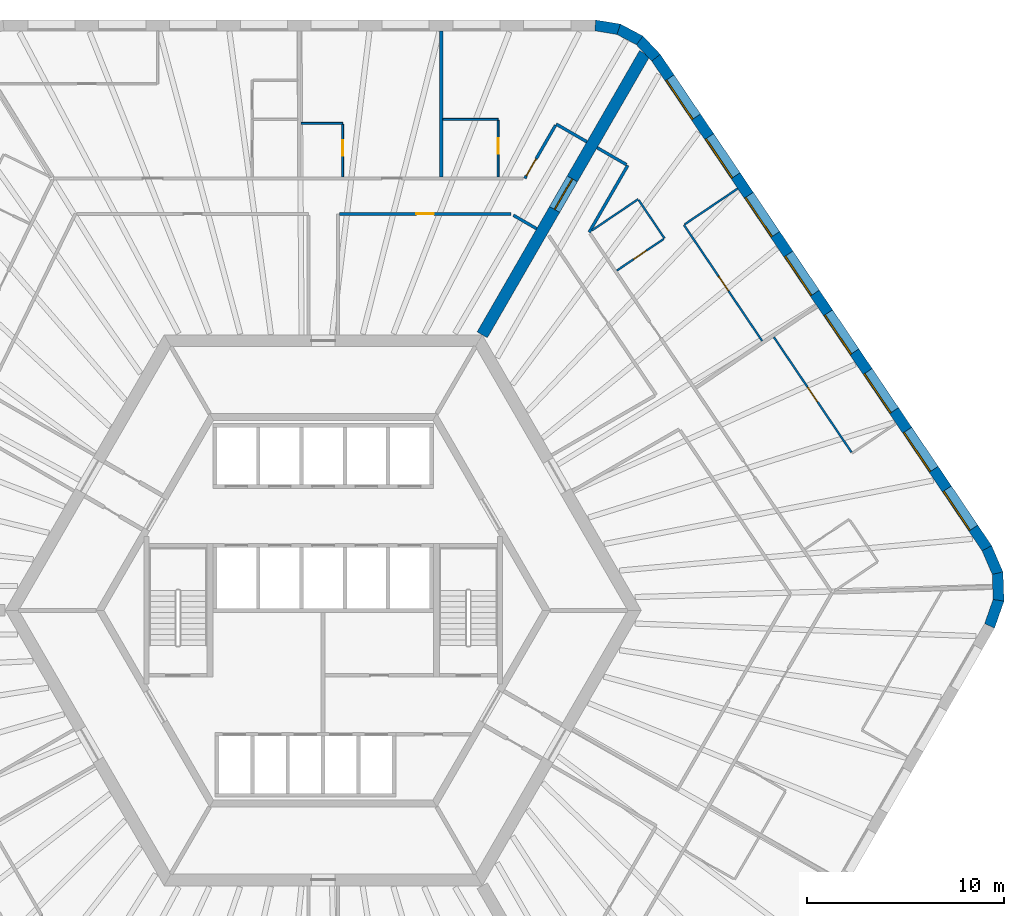
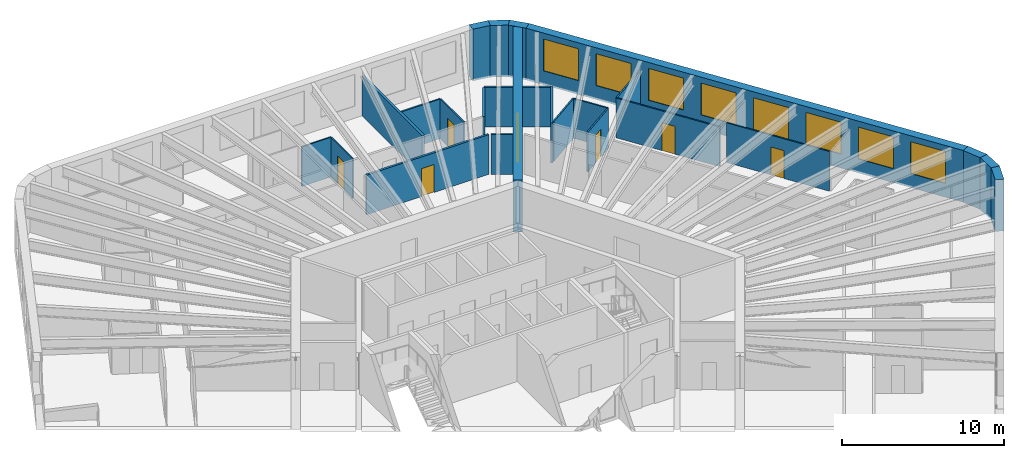
# One storey, part 10 of 12: 25 walls, 8 doors, 8 windows, 16 openings.
"""IFC4 building model written with IfcOpenShell, lengths in metres."""

from ifc_helpers import new_model, si_unit, direction, frame, frame_2d, origin, place, context, subcontext, project, spatial, polyline, rectangle, outline, extrude, material, layer, layer_set, type_object, element, fill, save


model = new_model("IFC4")

# Units and contexts
model_context = context("Model", 3, precision=1e-05, world=origin(), true_north=direction((0.0, 1.0)))
body_context = subcontext(model_context, "Body", "Model", "MODEL_VIEW")
ifc_project = project(units=[si_unit("LENGTHUNIT", "METRE"), si_unit("AREAUNIT", "SQUARE_METRE"), si_unit("VOLUMEUNIT", "CUBIC_METRE"), si_unit("PLANEANGLEUNIT", "RADIAN"), si_unit("MASSUNIT", "GRAM", prefix="KILO")], contexts=[model_context])

# Site, building, storey
site_placement = place(None, origin())
site = spatial("IfcSite", under=ifc_project, at=site_placement, CompositionType="ELEMENT")
building_placement = place(site_placement, origin())
building = spatial("IfcBuilding", under=site, at=building_placement, Name="Tarnside Tower", CompositionType="ELEMENT")
storey_placement = place(building_placement, frame((0.0, 0.0, 119.39990234375)))
storey = spatial("IfcBuildingStorey", under=building, at=storey_placement, Name="L27", CompositionType="ELEMENT", Elevation=119.39990234375)

# Wall
ifc_material_1 = material(Name="Gypsum board partition on steel studs", Category="steel")
ifc_layer_1 = layer(ifc_material_1, 0.10009765625)
ifc_layer_set_1 = layer_set([ifc_layer_1], Name="Bathroom wall 100")
wall_type_1 = type_object("IfcWallType", Name="Bathroom wall 100", PredefinedType="PARTITIONING", material=ifc_layer_set_1)
wall_1_placement = place(storey_placement, frame((6.078857421875, 24.949951171875, 0.0), z_axis=(0.0, 0.0, 1.0), x_axis=(1.0, 0.0, 0.0)))
element("IfcWall", 1, at=wall_1_placement, inside=storey, type_object=wall_type_1, Name="Bathroom wall 08071", PredefinedType="PARTITIONING", context=body_context, shape_type="SweptSolid", body=[
    extrude(rectangle(XDim=2.81005859375, YDim=0.10009765625, at=frame_2d((1.405029296875, 0.0))), origin(), (0.0, 0.0, 1.0), 2.98779296875),
])

# Wall, opening, door
wall_2_placement = place(storey_placement, frame((8.888916015625, 24.89990234375, 0.0), z_axis=(0.0, 0.0, 1.0), x_axis=(0.0, -1.0, 0.0)))
wall_2 = element("IfcWall", 2, at=wall_2_placement, inside=storey, type_object=wall_type_1, Name="Bathroom wall 08072", PredefinedType="PARTITIONING", context=body_context, shape_type="SweptSolid", body=[
    extrude(rectangle(XDim=2.875, YDim=0.10009765625, at=frame_2d((1.4375, 0.0))), origin(), (0.0, 0.0, 1.0), 2.98779296875),
])
opening_1_placement = place(wall_2_placement, frame((0.89990234375, 0.0, 0.0)))
opening_1 = element("IfcOpeningElement", 3, at=opening_1_placement, cuts=wall_2, Name="Opening D-B1", PredefinedType="OPENING", context=body_context, shape_type="SweptSolid", body=[
    extrude(rectangle(XDim=0.800048828125, YDim=2.10009765625, at=frame_2d((0.39990234375, 1.050048828125))), frame((0.0, 0.06005859375, 0.0), z_axis=(0.0, -1.0, 0.0), x_axis=(1.0, 0.0, 0.0)), (0.0, 0.0, 1.0), 0.1201171875),
])
ifc_material_2 = material(Name="Timber door leaf", Category="wood")
door_type_1 = type_object("IfcDoorType", Name="Bathroom door 800", OperationType="NOTDEFINED", PredefinedType="DOOR", material=ifc_material_2)
door_1_placement = place(opening_1_placement, origin())
door_1 = element("IfcDoor", 4, at=door_1_placement, inside=storey, type_object=door_type_1, Name="Bathroom door 08002", OperationType="SINGLE_SWING_RIGHT", OverallHeight=2.10009765625, OverallWidth=0.800048828125, PredefinedType="DOOR", context=body_context, shape_type="SweptSolid", body=[
    extrude(rectangle(XDim=0.800048828125, YDim=2.10009765625, at=frame_2d((0.39990234375, 1.050048828125))), frame((0.0, 0.02490234375, 0.0), z_axis=(0.0, -1.0, 0.0), x_axis=(1.0, 0.0, 0.0)), (0.0, 0.0, 1.0), 0.050048828125),
])
fill(opening_1, door_1)

# Wall
wall_3_placement = place(storey_placement, frame((-1.12109375, 24.75, 0.0), z_axis=(0.0, 0.0, 1.0), x_axis=(1.0, 0.0, 0.0)))
element("IfcWall", 5, at=wall_3_placement, inside=storey, type_object=wall_type_1, Name="Bathroom wall 08075", PredefinedType="PARTITIONING", context=body_context, shape_type="SweptSolid", body=[
    extrude(rectangle(XDim=2.110107421875, YDim=0.10009765625, at=frame_2d((1.05517578125, 0.0))), origin(), (0.0, 0.0, 1.0), 2.98779296875),
])

# Wall, opening, door
wall_4_placement = place(storey_placement, frame((0.989013671875, 24.699951171875, 0.0), z_axis=(0.0, 0.0, 1.0), x_axis=(0.0, -1.0, 0.0)))
wall_4 = element("IfcWall", 6, at=wall_4_placement, inside=storey, type_object=wall_type_1, Name="Bathroom wall 08076", PredefinedType="PARTITIONING", context=body_context, shape_type="SweptSolid", body=[
    extrude(rectangle(XDim=2.675048828125, YDim=0.10009765625, at=frame_2d((1.33740234375, 0.0))), origin(), (0.0, 0.0, 1.0), 2.98779296875),
])
opening_2_placement = place(wall_4_placement, frame((0.81005859375, 0.0, 0.0)))
opening_2 = element("IfcOpeningElement", 7, at=opening_2_placement, cuts=wall_4, Name="Opening D-B1", PredefinedType="OPENING", context=body_context, shape_type="SweptSolid", body=[
    extrude(rectangle(XDim=0.800048828125, YDim=2.10009765625, at=frame_2d((0.39990234375, 1.050048828125))), frame((0.0, 0.06005859375, 0.0), z_axis=(0.0, -1.0, 0.0), x_axis=(1.0, 0.0, 0.0)), (0.0, 0.0, 1.0), 0.1201171875),
])
door_2_placement = place(opening_2_placement, origin())
door_2 = element("IfcDoor", 8, at=door_2_placement, inside=storey, type_object=door_type_1, Name="Bathroom door 08004", OperationType="SINGLE_SWING_RIGHT", OverallHeight=2.10009765625, OverallWidth=0.800048828125, PredefinedType="DOOR", context=body_context, shape_type="SweptSolid", body=[
    extrude(rectangle(XDim=0.800048828125, YDim=2.10009765625, at=frame_2d((0.39990234375, 1.050048828125))), frame((0.0, 0.02490234375, 0.0), z_axis=(0.0, -1.0, 0.0), x_axis=(1.0, 0.0, 0.0)), (0.0, 0.0, 1.0), 0.050048828125),
])
fill(opening_2, door_2)

# Walls
wall_5_placement = place(storey_placement, frame((13.6591796875, 19.308349609375, 0.0), z_axis=(0.0, 0.0, 1.0), x_axis=(0.829010718334, 0.559232714429, 0.0)))
element("IfcWall", 9, at=wall_5_placement, inside=storey, type_object=wall_type_1, Name="Bathroom wall 08145", PredefinedType="PARTITIONING", context=body_context, shape_type="SweptSolid", body=[
    extrude(rectangle(XDim=2.828857421875, YDim=0.10009765625, at=frame_2d((1.41455078125, 0.0))), origin(), (0.0, 0.0, 1.0), 2.98779296875),
])
wall_6_placement = place(storey_placement, frame((16.032470703125, 20.848876953125, 0.0), z_axis=(0.0, 0.0, 1.0), x_axis=(0.559151632687, -0.829065408555, 0.0)))
element("IfcWall", 10, at=wall_6_placement, inside=storey, type_object=wall_type_1, Name="Bathroom wall 08146", PredefinedType="PARTITIONING", context=body_context, shape_type="SweptSolid", body=[
    extrude(rectangle(XDim=2.349853515625, YDim=0.10009765625, at=frame_2d((1.1748046875, 0.0))), origin(), (0.0, 0.0, 1.0), 2.98779296875),
])

# Wall, opening, door
wall_7_placement = place(storey_placement, frame((17.30517578125, 18.87255859375, 0.0), z_axis=(0.0, 0.0, 1.0), x_axis=(-0.82904649496, -0.559179675234, 0.0)))
wall_7 = element("IfcWall", 11, at=wall_7_placement, inside=storey, type_object=wall_type_1, Name="Bathroom wall 08147", PredefinedType="PARTITIONING", context=body_context, shape_type="SweptSolid", body=[
    extrude(rectangle(XDim=2.875, YDim=0.10009765625, at=frame_2d((1.4375, 0.0))), origin(), (0.0, 0.0, 1.0), 2.98779296875),
])
opening_3_placement = place(wall_7_placement, frame((1.050048828125, 0.0, 0.0)))
opening_3 = element("IfcOpeningElement", 12, at=opening_3_placement, cuts=wall_7, Name="Opening D-B1", PredefinedType="OPENING", context=body_context, shape_type="SweptSolid", body=[
    extrude(rectangle(XDim=0.800048828125, YDim=2.10009765625, at=frame_2d((0.39990234375, 1.050048828125))), frame((0.0, 0.06005859375, 0.0), z_axis=(0.0, -1.0, 0.0), x_axis=(1.0, 0.0, 0.0)), (0.0, 0.0, 1.0), 0.1201171875),
])
door_3_placement = place(opening_3_placement, origin())
door_3 = element("IfcDoor", 13, at=door_3_placement, inside=storey, type_object=door_type_1, Name="Bathroom door 08038", OperationType="SINGLE_SWING_LEFT", OverallHeight=2.10009765625, OverallWidth=0.800048828125, PredefinedType="DOOR", context=body_context, shape_type="SweptSolid", body=[
    extrude(rectangle(XDim=0.800048828125, YDim=2.10009765625, at=frame_2d((0.39990234375, 1.050048828125))), frame((0.0, 0.02490234375, 0.0), z_axis=(0.0, -1.0, 0.0), x_axis=(1.0, 0.0, 0.0)), (0.0, 0.0, 1.0), 0.050048828125),
])
fill(opening_3, door_3)

ifc_material_3 = material(Name="Concrete C80/95", Category="concrete")
ifc_layer_2 = layer(ifc_material_3, 0.60009765625)
ifc_layer_set_2 = layer_set([ifc_layer_2], Name="Core wall Z1 600 C80/95")
wall_type_2 = type_object("IfcWallType", Name="Core wall Z1 600 C80/95", PredefinedType="SHEAR", material=ifc_layer_set_2)
wall_8_placement = place(storey_placement, frame((8.0830078125, 14.0, -0.14990234375), z_axis=(0.0, 0.0, 1.0), x_axis=(0.499997680643, 0.866026742862, 0.0)))
wall_8 = element("IfcWall", 14, at=wall_8_placement, inside=storey, type_object=wall_type_2, Name="L27 spine wall 1", PredefinedType="SHEAR", context=body_context, shape_type="SweptSolid", body=[
    extrude(rectangle(XDim=16.5087890625, YDim=0.60009765625, at=frame_2d((8.25439453125, 0.0))), origin(), (0.0, 0.0, 1.0), 3.89990234375),
])
opening_4_placement = place(wall_8_placement, frame((7.3544921875, 0.0, 0.14990234375)))
opening_4 = element("IfcOpeningElement", 15, at=opening_4_placement, cuts=wall_8, Name="Opening CD-SPN", PredefinedType="OPENING", context=body_context, shape_type="SweptSolid", body=[
    extrude(rectangle(XDim=1.800048828125, YDim=2.39990234375, at=frame_2d((0.89990234375, 1.199951171875))), frame((0.0, 0.31005859375, 0.0), z_axis=(0.0, -1.0, 0.0), x_axis=(1.0, 0.0, 0.0)), (0.0, 0.0, 1.0), 0.6201171875),
])
ifc_material_4 = material(Name="Steel fire door", Category="steel")
door_type_2 = type_object("IfcDoorType", Name="Spine passage double door FD60 1800x2400", OperationType="NOTDEFINED", PredefinedType="DOOR", material=ifc_material_4)
door_4_placement = place(opening_4_placement, origin())
door_4 = element("IfcDoor", 16, at=door_4_placement, inside=storey, type_object=door_type_2, Name="L27 spine passage door 1", OperationType="DOUBLE_DOOR_SINGLE_SWING", OverallHeight=2.39990234375, OverallWidth=1.800048828125, PredefinedType="DOOR", context=body_context, shape_type="SweptSolid", body=[
    extrude(rectangle(XDim=1.800048828125, YDim=2.39990234375, at=frame_2d((0.89990234375, 1.199951171875))), frame((0.0, 0.02490234375, 0.0), z_axis=(0.0, -1.0, 0.0), x_axis=(1.0, 0.0, 0.0)), (0.0, 0.0, 1.0), 0.050048828125),
])
fill(opening_4, door_4)

# Wall
ifc_layer_3 = layer(ifc_material_1, 0.14990234375)
ifc_layer_set_3 = layer_set([ifc_layer_3], Name="Corridor wall 150 EI 60")
wall_type_3 = type_object("IfcWallType", Name="Corridor wall 150 EI 60", PredefinedType="PARTITIONING", material=ifc_layer_set_3)
wall_9_placement = place(storey_placement, frame((13.400390625, 23.81005859375, 0.0), z_axis=(0.0, 0.0, 1.0), x_axis=(-0.865989075817, 0.500062916607, 0.0)))
element("IfcWall", 17, at=wall_9_placement, inside=storey, type_object=wall_type_3, Name="Corridor wall 08001", PredefinedType="PARTITIONING", context=body_context, shape_type="SweptSolid", body=[
    extrude(rectangle(XDim=1.800048828125, YDim=0.14990234375, at=frame_2d((0.89990234375, 0.0))), origin(), (0.0, 0.0, 1.0), 2.98779296875),
])

# Wall, opening, door
wall_10_placement = place(storey_placement, frame((11.803955078125, 24.64501953125, 0.0), z_axis=(0.0, 0.0, 1.0), x_axis=(-0.499978251519, -0.866037959912, 0.0)))
wall_10 = element("IfcWall", 18, at=wall_10_placement, inside=storey, type_object=wall_type_3, Name="Corridor wall 08002", PredefinedType="PARTITIONING", context=body_context, shape_type="SweptSolid", body=[
    extrude(rectangle(XDim=3.112060546875, YDim=0.14990234375, at=frame_2d((1.55615234375, 0.0))), origin(), (0.0, 0.0, 1.0), 2.98779296875),
])
opening_5_placement = place(wall_10_placement, frame((1.962158203125, 0.0, 0.0)))
opening_5 = element("IfcOpeningElement", 19, at=opening_5_placement, cuts=wall_10, Name="Opening D-E1", PredefinedType="OPENING", context=body_context, shape_type="SweptSolid", body=[
    extrude(rectangle(XDim=1.0, YDim=2.10009765625, at=frame_2d((0.5, 1.050048828125))), frame((0.0, 0.0849609375, 0.0), z_axis=(0.0, -1.0, 0.0), x_axis=(1.0, 0.0, 0.0)), (0.0, 0.0, 1.0), 0.169921875),
])
door_type_3 = type_object("IfcDoorType", Name="Unit entrance door 1000 FD30S", OperationType="NOTDEFINED", PredefinedType="DOOR", material=ifc_material_2)
door_5_placement = place(opening_5_placement, origin())
door_5 = element("IfcDoor", 20, at=door_5_placement, inside=storey, type_object=door_type_3, Name="Unit door 08001", OperationType="SINGLE_SWING_LEFT", OverallHeight=2.10009765625, OverallWidth=1.0, PredefinedType="DOOR", context=body_context, shape_type="SweptSolid", body=[
    extrude(rectangle(XDim=1.0, YDim=2.10009765625, at=frame_2d((0.5, 1.050048828125))), frame((0.0, 0.02490234375, 0.0), z_axis=(0.0, -1.0, 0.0), x_axis=(1.0, 0.0, 0.0)), (0.0, 0.0, 1.0), 0.050048828125),
])
fill(opening_5, door_5)

wall_11_placement = place(storey_placement, frame((0.824951171875, 20.14990234375, 0.0), z_axis=(0.0, 0.0, 1.0), x_axis=(1.0, 0.0, 0.0)))
wall_11 = element("IfcWall", 21, at=wall_11_placement, inside=storey, type_object=wall_type_3, Name="Corridor wall 08021", PredefinedType="PARTITIONING", context=body_context, shape_type="SweptSolid", body=[
    extrude(rectangle(XDim=8.712158203125, YDim=0.14990234375, at=frame_2d((4.35595703125, 0.0))), origin(), (0.0, 0.0, 1.0), 2.98779296875),
])
opening_6_placement = place(wall_11_placement, frame((3.906005859375, 0.0, 0.0)))
opening_6 = element("IfcOpeningElement", 22, at=opening_6_placement, cuts=wall_11, Name="Opening D-S1", PredefinedType="OPENING", context=body_context, shape_type="SweptSolid", body=[
    extrude(rectangle(XDim=0.89990234375, YDim=2.10009765625, at=frame_2d((0.449951171875, 1.050048828125))), frame((0.0, 0.0849609375, 0.0), z_axis=(0.0, -1.0, 0.0), x_axis=(1.0, 0.0, 0.0)), (0.0, 0.0, 1.0), 0.169921875),
])
door_type_4 = type_object("IfcDoorType", Name="Service room door 900 FD30S", OperationType="NOTDEFINED", PredefinedType="DOOR", material=ifc_material_2)
door_6_placement = place(opening_6_placement, origin())
door_6 = element("IfcDoor", 23, at=door_6_placement, inside=storey, type_object=door_type_4, Name="Service door 08041", OperationType="SINGLE_SWING_RIGHT", OverallHeight=2.10009765625, OverallWidth=0.89990234375, PredefinedType="DOOR", context=body_context, shape_type="SweptSolid", body=[
    extrude(rectangle(XDim=0.89990234375, YDim=2.10009765625, at=frame_2d((0.449951171875, 1.050048828125))), frame((0.0, 0.02490234375, 0.0), z_axis=(0.0, -1.0, 0.0), x_axis=(1.0, 0.0, 0.0)), (0.0, 0.0, 1.0), 0.050048828125),
])
fill(opening_6, door_6)

# Walls
wall_12_placement = place(storey_placement, frame((9.6669921875, 20.074951171875, 0.0), z_axis=(0.0, 0.0, 1.0), x_axis=(0.866000994684, -0.500042275419, 0.0)))
element("IfcWall", 24, at=wall_12_placement, inside=storey, type_object=wall_type_3, Name="Corridor wall 08022", PredefinedType="PARTITIONING", context=body_context, shape_type="SweptSolid", body=[
    extrude(rectangle(XDim=1.36572265625, YDim=0.14990234375, at=frame_2d((0.682861328125, 0.0))), origin(), (0.0, 0.0, 1.0), 2.98779296875),
])
wall_13_placement = place(storey_placement, frame((13.517333984375, 19.212646484375, 0.0), z_axis=(0.0, 0.0, 1.0), x_axis=(0.499981033738, 0.866036353684, 0.0)))
element("IfcWall", 25, at=wall_13_placement, inside=storey, type_object=wall_type_3, Name="Corridor wall 08058", PredefinedType="PARTITIONING", context=body_context, shape_type="SweptSolid", body=[
    extrude(rectangle(XDim=3.923095703125, YDim=0.14990234375, at=frame_2d((1.96142578125, 0.0))), origin(), (0.0, 0.0, 1.0), 2.98779296875),
])
wall_14_placement = place(storey_placement, frame((15.413818359375, 22.647705078125, 0.0), z_axis=(0.0, 0.0, 1.0), x_axis=(-0.866074815912, 0.499914405916, 0.0)))
element("IfcWall", 26, at=wall_14_placement, inside=storey, type_object=wall_type_3, Name="Corridor wall 08059", PredefinedType="PARTITIONING", context=body_context, shape_type="SweptSolid", body=[
    extrude(rectangle(XDim=1.724853515625, YDim=0.14990234375, at=frame_2d((0.8623046875, 0.0))), origin(), (0.0, 0.0, 1.0), 2.98779296875),
])
ifc_layer_4 = layer(ifc_material_1, 0.179931640625)
ifc_layer_set_4 = layer_set([ifc_layer_4], Name="Demising wall 180 EI 60")
wall_type_4 = type_object("IfcWallType", Name="Demising wall 180 EI 60", PredefinedType="PARTITIONING", material=ifc_layer_set_4)
wall_15_placement = place(storey_placement, frame((5.989013671875, 29.449951171875, 0.0), z_axis=(0.0, 0.0, 1.0), x_axis=(0.0, -1.0, 0.0)))
element("IfcWall", 27, at=wall_15_placement, inside=storey, type_object=wall_type_4, Name="Demising wall 08073", PredefinedType="PARTITIONING", context=body_context, shape_type="SweptSolid", body=[
    extrude(rectangle(XDim=7.425048828125, YDim=0.179931640625, at=frame_2d((3.71240234375, 0.0))), origin(), (0.0, 0.0, 1.0), 2.98779296875),
])

# Wall, opening, door
ifc_layer_5 = layer(ifc_material_1, 0.10009765625)
ifc_layer_set_5 = layer_set([ifc_layer_5], Name="Partition 100")
wall_type_5 = type_object("IfcWallType", Name="Partition 100", PredefinedType="PARTITIONING", material=ifc_layer_set_5)
wall_16_placement = place(storey_placement, frame((26.852294921875, 8.02685546875, 0.0), z_axis=(0.0, 0.0, 1.0), x_axis=(-0.559216845309, 0.829021423078, 0.0)))
wall_16 = element("IfcWall", 28, at=wall_16_placement, inside=storey, type_object=wall_type_5, Name="Partition wall 08141", PredefinedType="PARTITIONING", context=body_context, shape_type="SweptSolid", body=[
    extrude(rectangle(XDim=7.059814453125, YDim=0.10009765625, at=frame_2d((3.52978515625, 0.0))), origin(), (0.0, 0.0, 1.0), 2.98779296875),
])
opening_7_placement = place(wall_16_placement, frame((3.10009765625, 0.0, 0.0)))
opening_7 = element("IfcOpeningElement", 29, at=opening_7_placement, cuts=wall_16, Name="Opening D-I1", PredefinedType="OPENING", context=body_context, shape_type="SweptSolid", body=[
    extrude(rectangle(XDim=0.89990234375, YDim=2.10009765625, at=frame_2d((0.449951171875, 1.050048828125))), frame((0.0, 0.06005859375, 0.0), z_axis=(0.0, -1.0, 0.0), x_axis=(1.0, 0.0, 0.0)), (0.0, 0.0, 1.0), 0.1201171875),
])
door_type_5 = type_object("IfcDoorType", Name="Internal door 900", OperationType="NOTDEFINED", PredefinedType="DOOR", material=ifc_material_2)
door_7_placement = place(opening_7_placement, origin())
door_7 = element("IfcDoor", 30, at=door_7_placement, inside=storey, type_object=door_type_5, Name="Internal door 08036", OperationType="SINGLE_SWING_RIGHT", OverallHeight=2.10009765625, OverallWidth=0.89990234375, PredefinedType="DOOR", context=body_context, shape_type="SweptSolid", body=[
    extrude(rectangle(XDim=0.89990234375, YDim=2.10009765625, at=frame_2d((0.449951171875, 1.050048828125))), frame((0.0, 0.02490234375, 0.0), z_axis=(0.0, -1.0, 0.0), x_axis=(1.0, 0.0, 0.0)), (0.0, 0.0, 1.0), 0.050048828125),
])
fill(opening_7, door_7)

wall_17_placement = place(storey_placement, frame((22.30615234375, 13.693359375, 0.0), z_axis=(0.0, 0.0, 1.0), x_axis=(-0.559185029686, 0.829042883435, 0.0)))
wall_17 = element("IfcWall", 31, at=wall_17_placement, inside=storey, type_object=wall_type_5, Name="Partition wall 08148", PredefinedType="PARTITIONING", context=body_context, shape_type="SweptSolid", body=[
    extrude(rectangle(XDim=7.110107421875, YDim=0.10009765625, at=frame_2d((3.55517578125, 0.0))), origin(), (0.0, 0.0, 1.0), 2.98779296875),
])
opening_8_placement = place(wall_17_placement, frame((3.06005859375, 0.0, 0.0)))
opening_8 = element("IfcOpeningElement", 32, at=opening_8_placement, cuts=wall_17, Name="Opening D-I1", PredefinedType="OPENING", context=body_context, shape_type="SweptSolid", body=[
    extrude(rectangle(XDim=0.89990234375, YDim=2.10009765625, at=frame_2d((0.449951171875, 1.050048828125))), frame((0.0, 0.06005859375, 0.0), z_axis=(0.0, -1.0, 0.0), x_axis=(1.0, 0.0, 0.0)), (0.0, 0.0, 1.0), 0.1201171875),
])
door_8_placement = place(opening_8_placement, origin())
door_8 = element("IfcDoor", 33, at=door_8_placement, inside=storey, type_object=door_type_5, Name="Internal door 08039", OperationType="SINGLE_SWING_RIGHT", OverallHeight=2.10009765625, OverallWidth=0.89990234375, PredefinedType="DOOR", context=body_context, shape_type="SweptSolid", body=[
    extrude(rectangle(XDim=0.89990234375, YDim=2.10009765625, at=frame_2d((0.449951171875, 1.050048828125))), frame((0.0, 0.02490234375, 0.0), z_axis=(0.0, -1.0, 0.0), x_axis=(1.0, 0.0, 0.0)), (0.0, 0.0, 1.0), 0.050048828125),
])
fill(opening_8, door_8)

# Walls
wall_18_placement = place(storey_placement, frame((18.371826171875, 19.615966796875, 0.0), z_axis=(0.0, 0.0, 1.0), x_axis=(0.829033253898, 0.55919930609, 0.0)))
element("IfcWall", 34, at=wall_18_placement, inside=storey, type_object=wall_type_5, Name="Partition wall 08149", PredefinedType="PARTITIONING", context=body_context, shape_type="SweptSolid", body=[
    extrude(rectangle(XDim=3.25, YDim=0.10009765625, at=frame_2d((1.625, 0.0))), origin(), (0.0, 0.0, 1.0), 2.98779296875),
])
ifc_material_5 = material(Name="Facing brick", Category="masonry")
ifc_layer_6 = layer(ifc_material_5, 0.10205078125)
ifc_material_6 = material(Name="Concrete C60/75 precast", Category="concrete")
ifc_layer_7 = layer(ifc_material_6, 0.347900390625)
ifc_material_7 = material(Name="Mineral wool insulation")
ifc_layer_8 = layer(ifc_material_7, 0.10009765625)
ifc_layer_set_6 = layer_set([ifc_layer_6, ifc_layer_7, ifc_layer_8], Name="Tube wall 550 brick faced")
wall_type_6 = type_object("IfcWallType", Name="Tube wall 550 brick faced", PredefinedType="SOLIDWALL", material=ifc_layer_set_6)
wall_19_placement = place(storey_placement, frame((33.865966796875, -0.79248046875, -0.14990234375), z_axis=(0.0, 0.0, 1.0), x_axis=(0.33111537203, 0.943590276765, 0.0)))
element("IfcWall", 35, at=wall_19_placement, inside=storey, type_object=wall_type_6, Name="Tube wall L27 F5 chord 17", PredefinedType="SOLIDWALL", context=body_context, shape_type="SweptSolid", body=[
    extrude(outline(polyline([(-0.025634765625, -0.27490234375), (1.4306640625, -0.27490234375), (1.3271484375, 0.27490234375), (0.025634765625, 0.27490234375), (-0.025634765625, -0.27490234375)])), origin(), (0.0, 0.0, 1.0), 3.89990234375),
])
wall_20_placement = place(storey_placement, frame((34.322509765625, 0.508544921875, -0.14990234375), z_axis=(0.0, 0.0, 1.0), x_axis=(-0.034876908462, 0.999391615562, 0.0)))
element("IfcWall", 36, at=wall_20_placement, inside=storey, type_object=wall_type_6, Name="Tube wall L27 F5 chord 18", PredefinedType="SOLIDWALL", context=body_context, shape_type="SweptSolid", body=[
    extrude(outline(polyline([(-0.0517578125, -0.27490234375), (1.4306640625, -0.27490234375), (1.3271484375, 0.27490234375), (0.0517578125, 0.27490234375), (-0.0517578125, -0.27490234375)])), origin(), (0.0, 0.0, 1.0), 3.89990234375),
])
wall_21_placement = place(storey_placement, frame((34.2744140625, 1.88671875, -0.14990234375), z_axis=(0.0, 0.0, 1.0), x_axis=(-0.396161342798, 0.918180913803, 0.0)))
element("IfcWall", 37, at=wall_21_placement, inside=storey, type_object=wall_type_6, Name="Tube wall L27 F5 chord 19", PredefinedType="SOLIDWALL", context=body_context, shape_type="SweptSolid", body=[
    extrude(outline(polyline([(-0.0517578125, -0.27490234375), (1.40478515625, -0.27490234375), (1.353515625, 0.27490234375), (0.0517578125, 0.27490234375), (-0.0517578125, -0.27490234375)])), origin(), (0.0, 0.0, 1.0), 3.89990234375),
])

# Wall, openings, windows
wall_22_placement = place(storey_placement, frame((33.72802734375, 3.153076171875, -0.14990234375), z_axis=(0.0, 0.0, 1.0), x_axis=(-0.559192411416, 0.82903790445, 0.0)))
wall_22 = element("IfcWall", 38, at=wall_22_placement, inside=storey, type_object=wall_type_6, Name="Tube wall L27 F6 flush 20", PredefinedType="SOLIDWALL", context=body_context, shape_type="SweptSolid", body=[
    extrude(outline(polyline([(-0.025634765625, -0.27490234375), (30.09326171875, -0.27490234375), (30.04833984375, 0.27490234375), (0.025634765625, 0.27490234375), (-0.025634765625, -0.27490234375)])), origin(), (0.0, 0.0, 1.0), 3.89990234375),
])
opening_9_placement = place(wall_22_placement, frame((1.235595703125, 0.0, 1.050048828125)))
opening_9 = element("IfcOpeningElement", 39, at=opening_9_placement, cuts=wall_22, Name="Opening WH", PredefinedType="OPENING", context=body_context, shape_type="SweptSolid", body=[
    extrude(rectangle(XDim=2.39990234375, YDim=2.39990234375, at=frame_2d((1.199951171875, 1.199951171875))), frame((0.0, 0.28515625, 0.0), z_axis=(0.0, -1.0, 0.0), x_axis=(1.0, 0.0, 0.0)), (0.0, 0.0, 1.0), 0.570068359375),
])
opening_10_placement = place(wall_22_placement, frame((4.83544921875, 0.0, 1.050048828125)))
opening_10 = element("IfcOpeningElement", 40, at=opening_10_placement, cuts=wall_22, Name="Opening WH", PredefinedType="OPENING", context=body_context, shape_type="SweptSolid", body=[
    extrude(rectangle(XDim=2.39990234375, YDim=2.39990234375, at=frame_2d((1.199951171875, 1.199951171875))), frame((0.0, 0.28515625, 0.0), z_axis=(0.0, -1.0, 0.0), x_axis=(1.0, 0.0, 0.0)), (0.0, 0.0, 1.0), 0.570068359375),
])
opening_11_placement = place(wall_22_placement, frame((8.435546875, 0.0, 1.050048828125)))
opening_11 = element("IfcOpeningElement", 41, at=opening_11_placement, cuts=wall_22, Name="Opening WH", PredefinedType="OPENING", context=body_context, shape_type="SweptSolid", body=[
    extrude(rectangle(XDim=2.39990234375, YDim=2.39990234375, at=frame_2d((1.199951171875, 1.199951171875))), frame((0.0, 0.28515625, 0.0), z_axis=(0.0, -1.0, 0.0), x_axis=(1.0, 0.0, 0.0)), (0.0, 0.0, 1.0), 0.570068359375),
])
opening_12_placement = place(wall_22_placement, frame((12.035400390625, 0.0, 1.050048828125)))
opening_12 = element("IfcOpeningElement", 42, at=opening_12_placement, cuts=wall_22, Name="Opening WH", PredefinedType="OPENING", context=body_context, shape_type="SweptSolid", body=[
    extrude(rectangle(XDim=2.39990234375, YDim=2.39990234375, at=frame_2d((1.199951171875, 1.199951171875))), frame((0.0, 0.28515625, 0.0), z_axis=(0.0, -1.0, 0.0), x_axis=(1.0, 0.0, 0.0)), (0.0, 0.0, 1.0), 0.570068359375),
])
opening_13_placement = place(wall_22_placement, frame((15.635498046875, 0.0, 1.050048828125)))
opening_13 = element("IfcOpeningElement", 43, at=opening_13_placement, cuts=wall_22, Name="Opening WH", PredefinedType="OPENING", context=body_context, shape_type="SweptSolid", body=[
    extrude(rectangle(XDim=2.39990234375, YDim=2.39990234375, at=frame_2d((1.199951171875, 1.199951171875))), frame((0.0, 0.28515625, 0.0), z_axis=(0.0, -1.0, 0.0), x_axis=(1.0, 0.0, 0.0)), (0.0, 0.0, 1.0), 0.570068359375),
])
opening_14_placement = place(wall_22_placement, frame((19.235595703125, 0.0, 1.050048828125)))
opening_14 = element("IfcOpeningElement", 44, at=opening_14_placement, cuts=wall_22, Name="Opening WH", PredefinedType="OPENING", context=body_context, shape_type="SweptSolid", body=[
    extrude(rectangle(XDim=2.39990234375, YDim=2.39990234375, at=frame_2d((1.199951171875, 1.199951171875))), frame((0.0, 0.28515625, 0.0), z_axis=(0.0, -1.0, 0.0), x_axis=(1.0, 0.0, 0.0)), (0.0, 0.0, 1.0), 0.570068359375),
])
opening_15_placement = place(wall_22_placement, frame((22.83544921875, 0.0, 1.050048828125)))
opening_15 = element("IfcOpeningElement", 45, at=opening_15_placement, cuts=wall_22, Name="Opening WH", PredefinedType="OPENING", context=body_context, shape_type="SweptSolid", body=[
    extrude(rectangle(XDim=2.39990234375, YDim=2.39990234375, at=frame_2d((1.199951171875, 1.199951171875))), frame((0.0, 0.28515625, 0.0), z_axis=(0.0, -1.0, 0.0), x_axis=(1.0, 0.0, 0.0)), (0.0, 0.0, 1.0), 0.570068359375),
])
opening_16_placement = place(wall_22_placement, frame((26.435546875, 0.0, 1.050048828125)))
opening_16 = element("IfcOpeningElement", 46, at=opening_16_placement, cuts=wall_22, Name="Opening WH", PredefinedType="OPENING", context=body_context, shape_type="SweptSolid", body=[
    extrude(rectangle(XDim=2.39990234375, YDim=2.39990234375, at=frame_2d((1.199951171875, 1.199951171875))), frame((0.0, 0.28515625, 0.0), z_axis=(0.0, -1.0, 0.0), x_axis=(1.0, 0.0, 0.0)), (0.0, 0.0, 1.0), 0.570068359375),
])
ifc_material_8 = material(Name="Aluminium-framed double glazing", Category="aluminium")
window_type = type_object("IfcWindowType", Name="Hotel window 2400 x 2400", PartitioningType="DOUBLE_PANEL_VERTICAL", PredefinedType="WINDOW", material=ifc_material_8)
window_1_placement = place(opening_9_placement, frame((0.0, 0.205078125, 0.0)))
window_1 = element("IfcWindow", 47, at=window_1_placement, inside=storey, type_object=window_type, Name="E.WN.L27.F6.00", OverallHeight=2.39990234375, OverallWidth=2.39990234375, PartitioningType="DOUBLE_PANEL_VERTICAL", PredefinedType="WINDOW", context=body_context, shape_type="SweptSolid", body=[
    extrude(rectangle(XDim=2.39990234375, YDim=2.39990234375, at=frame_2d((1.199951171875, 1.199951171875))), frame((0.0, 0.030029296875, 0.0), z_axis=(0.0, -1.0, 0.0), x_axis=(1.0, 0.0, 0.0)), (0.0, 0.0, 1.0), 0.06005859375),
])
fill(opening_9, window_1)
window_2_placement = place(opening_10_placement, frame((0.0, 0.205078125, 0.0)))
window_2 = element("IfcWindow", 48, at=window_2_placement, inside=storey, type_object=window_type, Name="E.WN.L27.F6.01", OverallHeight=2.39990234375, OverallWidth=2.39990234375, PartitioningType="DOUBLE_PANEL_VERTICAL", PredefinedType="WINDOW", context=body_context, shape_type="SweptSolid", body=[
    extrude(rectangle(XDim=2.39990234375, YDim=2.39990234375, at=frame_2d((1.199951171875, 1.199951171875))), frame((0.0, 0.030029296875, 0.0), z_axis=(0.0, -1.0, 0.0), x_axis=(1.0, 0.0, 0.0)), (0.0, 0.0, 1.0), 0.06005859375),
])
fill(opening_10, window_2)
window_3_placement = place(opening_11_placement, frame((0.0, 0.205078125, 0.0)))
window_3 = element("IfcWindow", 49, at=window_3_placement, inside=storey, type_object=window_type, Name="E.WN.L27.F6.02", OverallHeight=2.39990234375, OverallWidth=2.39990234375, PartitioningType="DOUBLE_PANEL_VERTICAL", PredefinedType="WINDOW", context=body_context, shape_type="SweptSolid", body=[
    extrude(rectangle(XDim=2.39990234375, YDim=2.39990234375, at=frame_2d((1.199951171875, 1.199951171875))), frame((0.0, 0.030029296875, 0.0), z_axis=(0.0, -1.0, 0.0), x_axis=(1.0, 0.0, 0.0)), (0.0, 0.0, 1.0), 0.06005859375),
])
fill(opening_11, window_3)
window_4_placement = place(opening_12_placement, frame((0.0, 0.205078125, 0.0)))
window_4 = element("IfcWindow", 50, at=window_4_placement, inside=storey, type_object=window_type, Name="E.WN.L27.F6.03", OverallHeight=2.39990234375, OverallWidth=2.39990234375, PartitioningType="DOUBLE_PANEL_VERTICAL", PredefinedType="WINDOW", context=body_context, shape_type="SweptSolid", body=[
    extrude(rectangle(XDim=2.39990234375, YDim=2.39990234375, at=frame_2d((1.199951171875, 1.199951171875))), frame((0.0, 0.030029296875, 0.0), z_axis=(0.0, -1.0, 0.0), x_axis=(1.0, 0.0, 0.0)), (0.0, 0.0, 1.0), 0.06005859375),
])
fill(opening_12, window_4)
window_5_placement = place(opening_13_placement, frame((0.0, 0.205078125, 0.0)))
window_5 = element("IfcWindow", 51, at=window_5_placement, inside=storey, type_object=window_type, Name="E.WN.L27.F6.04", OverallHeight=2.39990234375, OverallWidth=2.39990234375, PartitioningType="DOUBLE_PANEL_VERTICAL", PredefinedType="WINDOW", context=body_context, shape_type="SweptSolid", body=[
    extrude(rectangle(XDim=2.39990234375, YDim=2.39990234375, at=frame_2d((1.199951171875, 1.199951171875))), frame((0.0, 0.030029296875, 0.0), z_axis=(0.0, -1.0, 0.0), x_axis=(1.0, 0.0, 0.0)), (0.0, 0.0, 1.0), 0.06005859375),
])
fill(opening_13, window_5)
window_6_placement = place(opening_14_placement, frame((0.0, 0.205078125, 0.0)))
window_6 = element("IfcWindow", 52, at=window_6_placement, inside=storey, type_object=window_type, Name="E.WN.L27.F6.05", OverallHeight=2.39990234375, OverallWidth=2.39990234375, PartitioningType="DOUBLE_PANEL_VERTICAL", PredefinedType="WINDOW", context=body_context, shape_type="SweptSolid", body=[
    extrude(rectangle(XDim=2.39990234375, YDim=2.39990234375, at=frame_2d((1.199951171875, 1.199951171875))), frame((0.0, 0.030029296875, 0.0), z_axis=(0.0, -1.0, 0.0), x_axis=(1.0, 0.0, 0.0)), (0.0, 0.0, 1.0), 0.06005859375),
])
fill(opening_14, window_6)
window_7_placement = place(opening_15_placement, frame((0.0, 0.205078125, 0.0)))
window_7 = element("IfcWindow", 53, at=window_7_placement, inside=storey, type_object=window_type, Name="E.WN.L27.F6.06", OverallHeight=2.39990234375, OverallWidth=2.39990234375, PartitioningType="DOUBLE_PANEL_VERTICAL", PredefinedType="WINDOW", context=body_context, shape_type="SweptSolid", body=[
    extrude(rectangle(XDim=2.39990234375, YDim=2.39990234375, at=frame_2d((1.199951171875, 1.199951171875))), frame((0.0, 0.030029296875, 0.0), z_axis=(0.0, -1.0, 0.0), x_axis=(1.0, 0.0, 0.0)), (0.0, 0.0, 1.0), 0.06005859375),
])
fill(opening_15, window_7)
window_8_placement = place(opening_16_placement, frame((0.0, 0.205078125, 0.0)))
window_8 = element("IfcWindow", 54, at=window_8_placement, inside=storey, type_object=window_type, Name="E.WN.L27.F6.07", OverallHeight=2.39990234375, OverallWidth=2.39990234375, PartitioningType="DOUBLE_PANEL_VERTICAL", PredefinedType="WINDOW", context=body_context, shape_type="SweptSolid", body=[
    extrude(rectangle(XDim=2.39990234375, YDim=2.39990234375, at=frame_2d((1.199951171875, 1.199951171875))), frame((0.0, 0.030029296875, 0.0), z_axis=(0.0, -1.0, 0.0), x_axis=(1.0, 0.0, 0.0)), (0.0, 0.0, 1.0), 0.06005859375),
])
fill(opening_16, window_8)

# Walls
wall_23_placement = place(storey_placement, frame((16.91259765625, 28.0830078125, -0.14990234375), z_axis=(0.0, 0.0, 1.0), x_axis=(-0.686196220404, 0.727416488061, 0.0)))
element("IfcWall", 55, at=wall_23_placement, inside=storey, type_object=wall_type_6, Name="Tube wall L27 F6 chord 21", PredefinedType="SOLIDWALL", context=body_context, shape_type="SweptSolid", body=[
    extrude(outline(polyline([(-0.0224609375, -0.27490234375), (1.25341796875, -0.27490234375), (1.1630859375, 0.27490234375), (0.0224609375, 0.27490234375), (-0.0224609375, -0.27490234375)])), origin(), (0.0, 0.0, 1.0), 3.89990234375),
])
wall_24_placement = place(storey_placement, frame((16.08349609375, 28.9619140625, -0.14990234375), z_axis=(0.0, 0.0, 1.0), x_axis=(-0.882995347911, 0.469381737574, 0.0)))
element("IfcWall", 56, at=wall_24_placement, inside=storey, type_object=wall_type_6, Name="Tube wall L27 F6 chord 22", PredefinedType="SOLIDWALL", context=body_context, shape_type="SweptSolid", body=[
    extrude(outline(polyline([(-0.045166015625, -0.27490234375), (1.25341796875, -0.27490234375), (1.1630859375, 0.27490234375), (0.045166015625, 0.27490234375), (-0.045166015625, -0.27490234375)])), origin(), (0.0, 0.0, 1.0), 3.89990234375),
])
wall_25_placement = place(storey_placement, frame((15.0166015625, 29.529052734375, -0.14990234375), z_axis=(0.0, 0.0, 1.0), x_axis=(-0.986746625868, 0.162268593195, 0.0)))
element("IfcWall", 57, at=wall_25_placement, inside=storey, type_object=wall_type_6, Name="Tube wall L27 F6 chord 23", PredefinedType="SOLIDWALL", context=body_context, shape_type="SweptSolid", body=[
    extrude(outline(polyline([(-0.045166015625, -0.27490234375), (1.230712890625, -0.27490234375), (1.185791015625, 0.27490234375), (0.045166015625, 0.27490234375), (-0.045166015625, -0.27490234375)])), origin(), (0.0, 0.0, 1.0), 3.89990234375),
])

save(model, "model.ifc")
